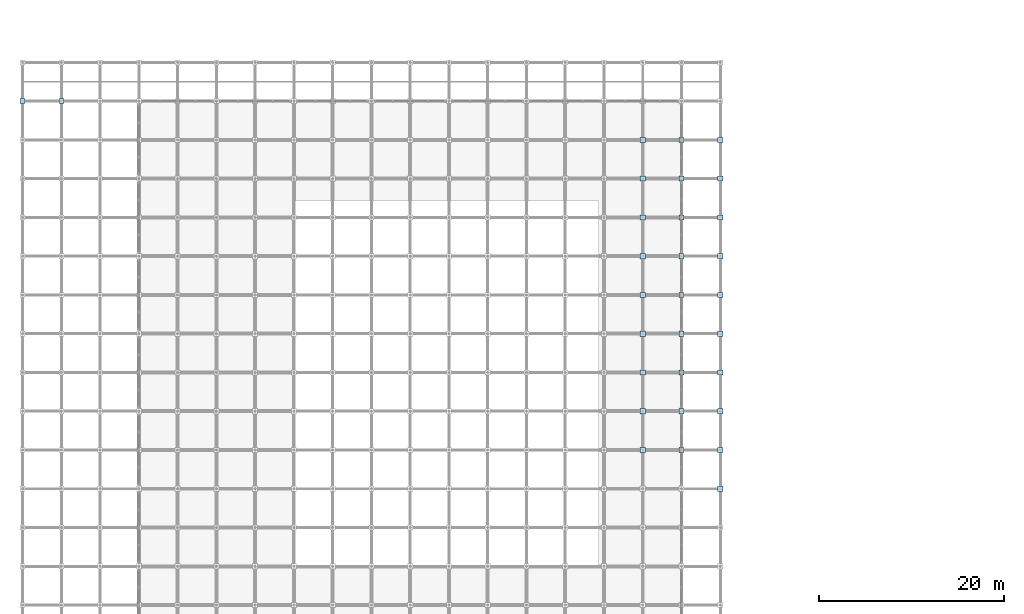
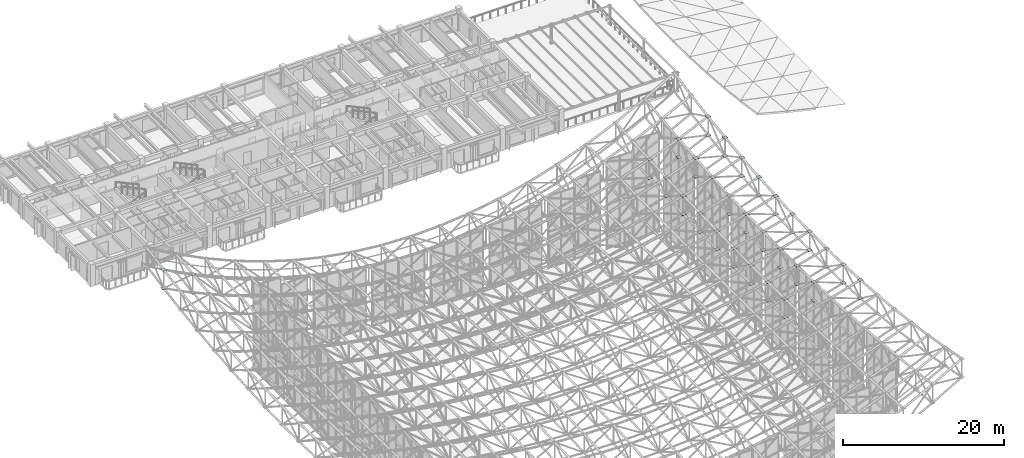
# One storey, part 71 of 93: 60 plates.
"""IFC4 building model written with IfcOpenShell, lengths in metres."""

from ifc_helpers import new_model, si_unit, direction, frame, origin, origin_2d, place, context, subcontext, project, spatial, rectangle, extrude, material, layer, layer_set, type_object, element, save


model = new_model("IFC4")

# Units and contexts
model_context = context("Model", 3, precision=1e-05, world=origin(), true_north=direction((0.0, 1.0)))
body_context = subcontext(model_context, "Body", "Model", "MODEL_VIEW")
ifc_project = project(units=[si_unit("LENGTHUNIT", "METRE"), si_unit("AREAUNIT", "SQUARE_METRE"), si_unit("VOLUMEUNIT", "CUBIC_METRE"), si_unit("PLANEANGLEUNIT", "RADIAN"), si_unit("MASSUNIT", "GRAM", prefix="KILO")], contexts=[model_context])

# Site, building, storey
site_placement = place(None, origin())
site = spatial("IfcSite", under=ifc_project, at=site_placement, CompositionType="ELEMENT")
building_placement = place(site_placement, origin())
building = spatial("IfcBuilding", under=site, at=building_placement, Name="Cumbredor Promenade Congress Hotel", CompositionType="ELEMENT")
storey_placement = place(building_placement, frame((0.0, 0.0, 21.840087890625)))
storey = spatial("IfcBuildingStorey", under=building, at=storey_placement, Name="L06", CompositionType="ELEMENT", Elevation=21.840087890625)

# Plates
ifc_material = material(Name="Steel ASTM A572 Grade 50", Category="steel")
ifc_layer = layer(ifc_material, 0.035888671875, Name="Steel ASTM A572 Grade 50", Category="steel")
ifc_layer_set = layer_set([ifc_layer], Name="Steel ASTM A572 Grade 50")
plate_type = type_object("IfcPlateType", Name="Space Frame Node Assembly ND-01", PredefinedType="USERDEFINED", material=ifc_layer_set)
for number, where, z_axis, x_axis, name in (
    (1, (-4.199951171875, 67.199951171875, 19.0673828125), (0.0, 0.0, 1.0), (1.0, 0.0, 0.0), "Plenary Congress Hall Space Frame Top Node 1.17"),
    (2, (-4.199951171875, 67.199951171875, 16.267578125), (0.0, 0.0, 1.0), (1.0, 0.0, 0.0), "Plenary Congress Hall Space Frame Bottom Node 1.17"),
    (3, (0.0, 67.199951171875, 16.91064453125), (0.0, 0.0, 1.0), (1.0, 0.0, 0.0), "Plenary Congress Hall Space Frame Top Node 2.17"),
    (4, (0.0, 67.199951171875, 14.11083984375), (0.0, 0.0, 1.0), (1.0, 0.0, 0.0), "Plenary Congress Hall Space Frame Bottom Node 2.17"),
    (5, (63.0, 29.39990234375, 14.08056640625), (0.0, 0.0, 1.0), (1.0, 0.0, 0.0), "Plenary Congress Hall Space Frame Top Node 17.8"),
    (6, (63.0, 29.39990234375, 11.28076171875), (0.0, 0.0, 1.0), (1.0, 0.0, 0.0), "Plenary Congress Hall Space Frame Bottom Node 17.8"),
    (7, (63.0, 33.60009765625, 14.0458984375), (0.0, 0.0, 1.0), (1.0, 0.0, 0.0), "Plenary Congress Hall Space Frame Top Node 17.9"),
    (8, (63.0, 33.60009765625, 11.24560546875), (0.0, 0.0, 1.0), (1.0, 0.0, 0.0), "Plenary Congress Hall Space Frame Bottom Node 17.9"),
    (9, (63.0, 37.800048828125, 14.0458984375), (0.0, 0.0, 1.0), (1.0, 0.0, 0.0), "Plenary Congress Hall Space Frame Top Node 17.10"),
    (10, (63.0, 37.800048828125, 11.24560546875), (0.0, 0.0, 1.0), (1.0, 0.0, 0.0), "Plenary Congress Hall Space Frame Bottom Node 17.10"),
    (11, (63.0, 42.0, 14.08056640625), (0.0, 0.0, 1.0), (1.0, 0.0, 0.0), "Plenary Congress Hall Space Frame Top Node 17.11"),
    (12, (63.0, 42.0, 11.28076171875), (0.0, 0.0, 1.0), (1.0, 0.0, 0.0), "Plenary Congress Hall Space Frame Bottom Node 17.11"),
    (13, (63.0, 46.199951171875, 14.15087890625), (0.0, 0.0, 1.0), (1.0, 0.0, 0.0), "Plenary Congress Hall Space Frame Top Node 17.12"),
    (14, (63.0, 46.199951171875, 11.3505859375), (0.0, 0.0, 1.0), (1.0, 0.0, 0.0), "Plenary Congress Hall Space Frame Bottom Node 17.12"),
    (15, (63.0, 50.39990234375, 14.25537109375), (0.0, 0.0, 1.0), (1.0, 0.0, 0.0), "Plenary Congress Hall Space Frame Top Node 17.13"),
    (16, (63.0, 50.39990234375, 11.45556640625), (0.0, 0.0, 1.0), (1.0, 0.0, 0.0), "Plenary Congress Hall Space Frame Bottom Node 17.13"),
    (17, (63.0, 54.60009765625, 14.3955078125), (0.0, 0.0, 1.0), (1.0, 0.0, 0.0), "Plenary Congress Hall Space Frame Top Node 17.14"),
    (18, (63.0, 54.60009765625, 11.59521484375), (0.0, 0.0, 1.0), (1.0, 0.0, 0.0), "Plenary Congress Hall Space Frame Bottom Node 17.14"),
    (19, (63.0, 58.800048828125, 14.56982421875), (0.0, 0.0, 1.0), (1.0, 0.0, 0.0), "Plenary Congress Hall Space Frame Top Node 17.15"),
    (20, (63.0, 58.800048828125, 11.76953125), (0.0, 0.0, 1.0), (1.0, 0.0, 0.0), "Plenary Congress Hall Space Frame Bottom Node 17.15"),
    (21, (63.0, 63.0, 14.77880859375), (0.0, 0.0, 1.0), (1.0, 0.0, 0.0), "Plenary Congress Hall Space Frame Top Node 17.16"),
    (22, (63.0, 63.0, 11.97900390625), (0.0, 0.0, 1.0), (1.0, 0.0, 0.0), "Plenary Congress Hall Space Frame Bottom Node 17.16"),
    (23, (67.199951171875, 29.39990234375, 15.1318359375), (0.0, 0.0, 1.0), (1.0, 0.0, 0.0), "Plenary Congress Hall Space Frame Top Node 18.8"),
    (24, (67.199951171875, 29.39990234375, 12.33154296875), (0.0, 0.0, 1.0), (1.0, 0.0, 0.0), "Plenary Congress Hall Space Frame Bottom Node 18.8"),
    (25, (67.199951171875, 33.60009765625, 15.06640625), (0.0, 0.0, 1.0), (1.0, 0.0, 0.0), "Plenary Congress Hall Space Frame Top Node 18.9"),
    (26, (67.199951171875, 33.60009765625, 12.26611328125), (0.0, 0.0, 1.0), (1.0, 0.0, 0.0), "Plenary Congress Hall Space Frame Bottom Node 18.9"),
    (27, (67.199951171875, 37.800048828125, 15.06640625), (0.0, 0.0, 1.0), (1.0, 0.0, 0.0), "Plenary Congress Hall Space Frame Top Node 18.10"),
    (28, (67.199951171875, 37.800048828125, 12.26611328125), (0.0, 0.0, 1.0), (1.0, 0.0, 0.0), "Plenary Congress Hall Space Frame Bottom Node 18.10"),
    (29, (67.199951171875, 42.0, 15.1318359375), (0.0, 0.0, 1.0), (1.0, 0.0, 0.0), "Plenary Congress Hall Space Frame Top Node 18.11"),
    (30, (67.199951171875, 42.0, 12.33154296875), (0.0, 0.0, 1.0), (1.0, 0.0, 0.0), "Plenary Congress Hall Space Frame Bottom Node 18.11"),
    (31, (67.199951171875, 46.199951171875, 15.263671875), (0.0, 0.0, 1.0), (1.0, 0.0, 0.0), "Plenary Congress Hall Space Frame Top Node 18.12"),
    (32, (67.199951171875, 46.199951171875, 12.4638671875), (0.0, 0.0, 1.0), (1.0, 0.0, 0.0), "Plenary Congress Hall Space Frame Bottom Node 18.12"),
    (33, (67.199951171875, 50.39990234375, 15.46142578125), (0.0, 0.0, 1.0), (1.0, 0.0, 0.0), "Plenary Congress Hall Space Frame Top Node 18.13"),
    (34, (67.199951171875, 50.39990234375, 12.66162109375), (0.0, 0.0, 1.0), (1.0, 0.0, 0.0), "Plenary Congress Hall Space Frame Bottom Node 18.13"),
    (35, (67.199951171875, 54.60009765625, 15.7255859375), (0.0, 0.0, 1.0), (1.0, 0.0, 0.0), "Plenary Congress Hall Space Frame Top Node 18.14"),
    (36, (67.199951171875, 54.60009765625, 12.92578125), (0.0, 0.0, 1.0), (1.0, 0.0, 0.0), "Plenary Congress Hall Space Frame Bottom Node 18.14"),
    (37, (67.199951171875, 58.800048828125, 16.05517578125), (0.0, 0.0, 1.0), (1.0, 0.0, 0.0), "Plenary Congress Hall Space Frame Top Node 18.15"),
    (38, (67.199951171875, 58.800048828125, 13.25537109375), (0.0, 0.0, 1.0), (1.0, 0.0, 0.0), "Plenary Congress Hall Space Frame Bottom Node 18.15"),
    (39, (67.199951171875, 63.0, 16.45068359375), (0.0, 0.0, 1.0), (1.0, 0.0, 0.0), "Plenary Congress Hall Space Frame Top Node 18.16"),
    (40, (67.199951171875, 63.0, 13.650390625), (0.0, 0.0, 1.0), (1.0, 0.0, 0.0), "Plenary Congress Hall Space Frame Bottom Node 18.16"),
    (41, (71.39990234375, 25.199951171875, 16.5302734375), (0.0, 0.0, 1.0), (1.0, 0.0, 0.0), "Plenary Congress Hall Space Frame Top Node 19.7"),
    (42, (71.39990234375, 25.199951171875, 13.73046875), (0.0, 0.0, 1.0), (1.0, 0.0, 0.0), "Plenary Congress Hall Space Frame Bottom Node 19.7"),
    (43, (71.39990234375, 29.39990234375, 16.3271484375), (0.0, 0.0, 1.0), (1.0, 0.0, 0.0), "Plenary Congress Hall Space Frame Top Node 19.8"),
    (44, (71.39990234375, 29.39990234375, 13.52685546875), (0.0, 0.0, 1.0), (1.0, 0.0, 0.0), "Plenary Congress Hall Space Frame Bottom Node 19.8"),
    (45, (71.39990234375, 33.60009765625, 16.2255859375), (0.0, 0.0, 1.0), (1.0, 0.0, 0.0), "Plenary Congress Hall Space Frame Top Node 19.9"),
    (46, (71.39990234375, 33.60009765625, 13.42529296875), (0.0, 0.0, 1.0), (1.0, 0.0, 0.0), "Plenary Congress Hall Space Frame Bottom Node 19.9"),
    (47, (71.39990234375, 37.800048828125, 16.2255859375), (0.0, 0.0, 1.0), (1.0, 0.0, 0.0), "Plenary Congress Hall Space Frame Top Node 19.10"),
    (48, (71.39990234375, 37.800048828125, 13.42529296875), (0.0, 0.0, 1.0), (1.0, 0.0, 0.0), "Plenary Congress Hall Space Frame Bottom Node 19.10"),
    (49, (71.39990234375, 42.0, 16.3271484375), (0.0, 0.0, 1.0), (1.0, 0.0, 0.0), "Plenary Congress Hall Space Frame Top Node 19.11"),
    (50, (71.39990234375, 42.0, 13.52685546875), (0.0, 0.0, 1.0), (1.0, 0.0, 0.0), "Plenary Congress Hall Space Frame Bottom Node 19.11"),
    (51, (71.39990234375, 46.199951171875, 16.5302734375), (0.0, 0.0, 1.0), (1.0, 0.0, 0.0), "Plenary Congress Hall Space Frame Top Node 19.12"),
    (52, (71.39990234375, 46.199951171875, 13.73046875), (0.0, 0.0, 1.0), (1.0, 0.0, 0.0), "Plenary Congress Hall Space Frame Bottom Node 19.12"),
    (53, (71.39990234375, 50.39990234375, 16.8349609375), (0.0, 0.0, 1.0), (1.0, 0.0, 0.0), "Plenary Congress Hall Space Frame Top Node 19.13"),
    (54, (71.39990234375, 50.39990234375, 14.03515625), (0.0, 0.0, 1.0), (1.0, 0.0, 0.0), "Plenary Congress Hall Space Frame Bottom Node 19.13"),
    (55, (71.39990234375, 54.60009765625, 17.24169921875), (0.0, 0.0, 1.0), (1.0, 0.0, 0.0), "Plenary Congress Hall Space Frame Top Node 19.14"),
    (56, (71.39990234375, 54.60009765625, 14.44140625), (0.0, 0.0, 1.0), (1.0, 0.0, 0.0), "Plenary Congress Hall Space Frame Bottom Node 19.14"),
    (57, (71.39990234375, 58.800048828125, 17.7490234375), (0.0, 0.0, 1.0), (1.0, 0.0, 0.0), "Plenary Congress Hall Space Frame Top Node 19.15"),
    (58, (71.39990234375, 58.800048828125, 14.94921875), (0.0, 0.0, 1.0), (1.0, 0.0, 0.0), "Plenary Congress Hall Space Frame Bottom Node 19.15"),
    (59, (71.39990234375, 63.0, 18.35791015625), (0.0, 0.0, 1.0), (1.0, 0.0, 0.0), "Plenary Congress Hall Space Frame Top Node 19.16"),
    (60, (71.39990234375, 63.0, 15.55810546875), (0.0, 0.0, 1.0), (1.0, 0.0, 0.0), "Plenary Congress Hall Space Frame Bottom Node 19.16"),
):
    element("IfcPlate", number, at=place(storey_placement, frame(where, z_axis=z_axis, x_axis=x_axis)), inside=storey, type_object=plate_type, Name=name, ObjectType="GUSSET PLATE", PredefinedType="USERDEFINED", context=body_context, shape_type="SweptSolid", body=[
        extrude(rectangle(XDim=0.56005859375, YDim=0.56005859375, at=origin_2d()), origin(), (0.0, 0.0, 1.0), 0.035888671875),
    ])

save(model, "model.ifc")
